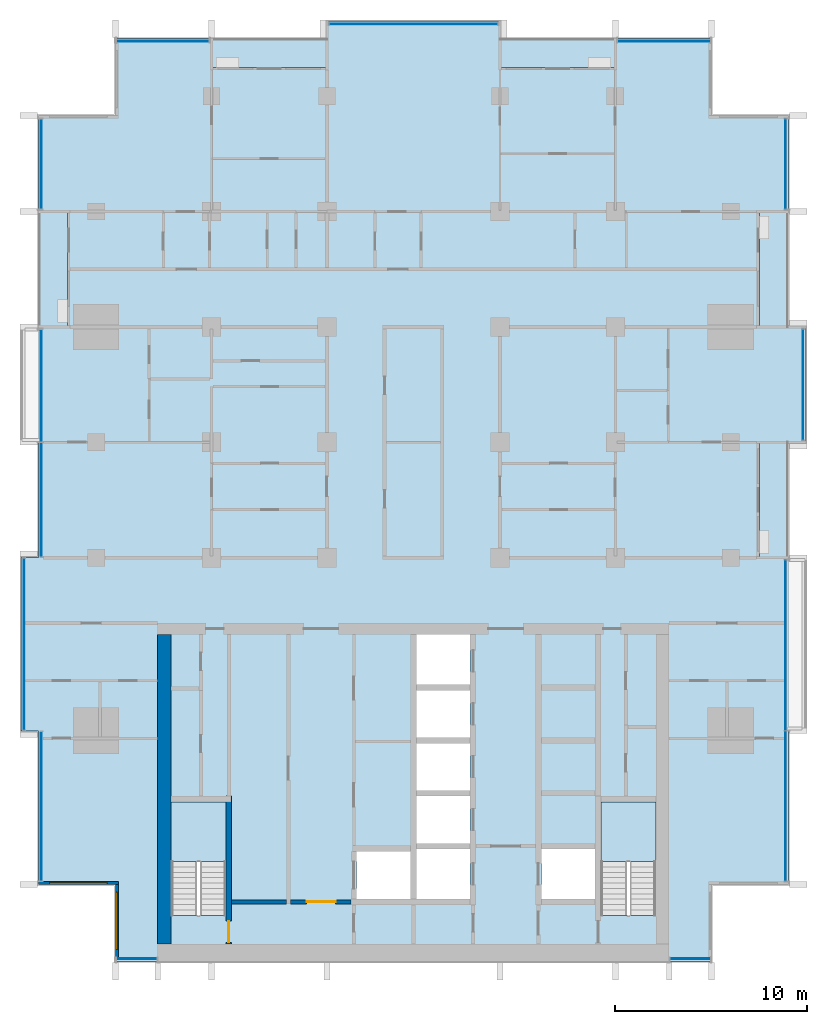
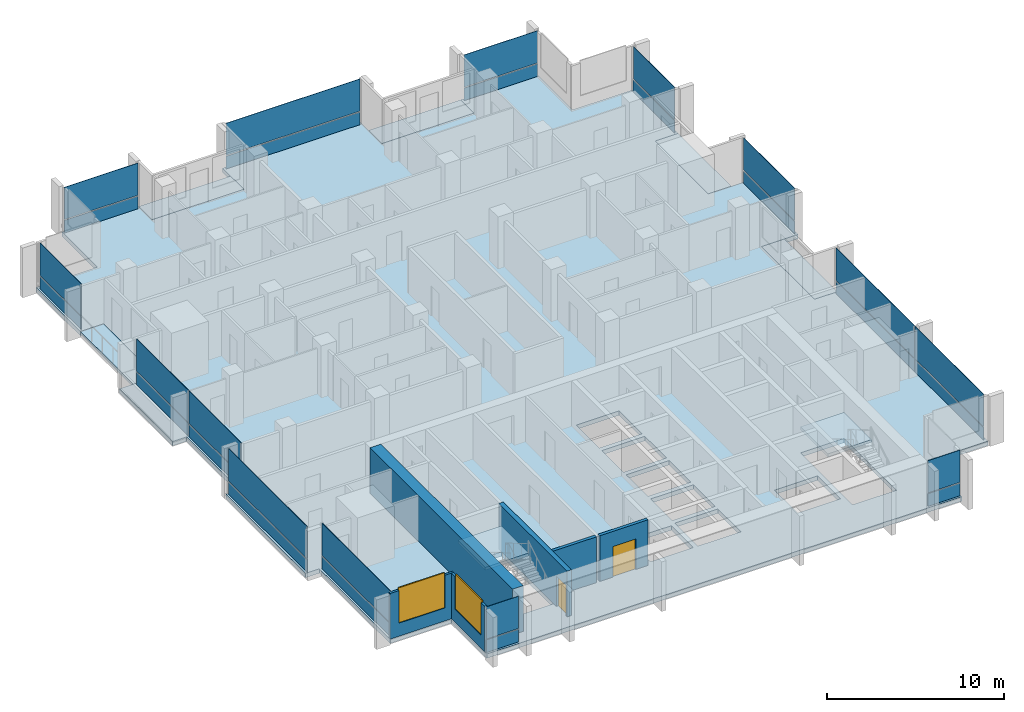
# One storey, part 6 of 17: 28 plates, 8 slabs, 6 walls, 2 doors, 2 windows, 4 openings, 14 elements without a shape of their own.
"""IFC4 building model written with IfcOpenShell, lengths in metres."""

from ifc_helpers import new_model, si_unit, direction, frame, frame_2d, origin, origin_2d, place, context, subcontext, project, spatial, polyline, rectangle, outline, extrude, material, layer, layer_set, type_object, element, fill, aggregate, save


model = new_model("IFC4")

# Units and contexts
model_context = context("Model", 3, precision=1e-05, world=origin(), true_north=direction((0.0, 1.0)))
body_context = subcontext(model_context, "Body", "Model", "MODEL_VIEW")
ifc_project = project(units=[si_unit("LENGTHUNIT", "METRE"), si_unit("AREAUNIT", "SQUARE_METRE"), si_unit("VOLUMEUNIT", "CUBIC_METRE"), si_unit("PLANEANGLEUNIT", "RADIAN"), si_unit("MASSUNIT", "GRAM", prefix="KILO")], contexts=[model_context])

# Site, building, storey
site_placement = place(None, origin())
site = spatial("IfcSite", under=ifc_project, at=site_placement, CompositionType="ELEMENT")
building_placement = place(site_placement, origin())
building = spatial("IfcBuilding", under=site, at=building_placement, Name="Finial Court Residences", CompositionType="ELEMENT")
storey_placement = place(building_placement, frame((0.0, 0.0, 196.10009765625)))
storey = spatial("IfcBuildingStorey", under=building, at=storey_placement, Name="L49", CompositionType="ELEMENT", Elevation=196.10009765625)

# Slabs
ifc_material_1 = material(Name="Concrete C35/45", Category="concrete")
ifc_layer_1 = layer(ifc_material_1, 0.199951171875)
ifc_layer_set_1 = layer_set([ifc_layer_1], Name="Balcony slab, Concrete C35/45 200")
slab_type_1 = type_object("IfcSlabType", Name="Balcony slab, Concrete C35/45 200", PredefinedType="FLOOR", material=ifc_layer_set_1)
slab_1_placement = place(storey_placement, frame((0.0, 0.0, -0.2001953125)))
element("IfcSlab", 1, at=slab_1_placement, inside=storey, type_object=slab_type_1, Name="Balcony L49-N2", PredefinedType="FLOOR", context=body_context, shape_type="SweptSolid", body=[
    extrude(outline(polyline([(-4.5, 21.0), (-4.5, 22.5), (-10.5, 22.5), (-10.5, 21.0), (-4.5, 21.0)])), origin(), (0.0, 0.0, 1.0), 0.2001953125),
])
slab_2_placement = place(storey_placement, frame((0.0, 0.0, -0.2001953125)))
element("IfcSlab", 2, at=slab_2_placement, inside=storey, type_object=slab_type_1, Name="Balcony L49-N4", PredefinedType="FLOOR", context=body_context, shape_type="SweptSolid", body=[
    extrude(outline(polyline([(10.5, 21.0), (10.5, 22.5), (4.5, 22.5), (4.5, 21.0), (10.5, 21.0)])), origin(), (0.0, 0.0, 1.0), 0.2001953125),
])
slab_3_placement = place(storey_placement, frame((0.0, 0.0, -0.2001953125)))
element("IfcSlab", 3, at=slab_3_placement, inside=storey, type_object=slab_type_1, Name="Balcony L49-E3", PredefinedType="FLOOR", context=body_context, shape_type="SweptSolid", body=[
    extrude(outline(polyline([(19.5, -4.5), (19.5, 1.5), (18.0, 1.5), (18.0, -4.5), (19.5, -4.5)])), origin(), (0.0, 0.0, 1.0), 0.2001953125),
])
slab_4_placement = place(storey_placement, frame((0.0, 0.0, -0.2001953125)))
element("IfcSlab", 4, at=slab_4_placement, inside=storey, type_object=slab_type_1, Name="Balcony L49-E5", PredefinedType="FLOOR", context=body_context, shape_type="SweptSolid", body=[
    extrude(outline(polyline([(19.5, 7.5), (19.5, 13.5), (18.0, 13.5), (18.0, 7.5), (19.5, 7.5)])), origin(), (0.0, 0.0, 1.0), 0.2001953125),
])
slab_5_placement = place(storey_placement, frame((0.0, 0.0, -0.2001953125)))
element("IfcSlab", 5, at=slab_5_placement, inside=storey, type_object=slab_type_1, Name="Balcony L49-W5", PredefinedType="FLOOR", context=body_context, shape_type="SweptSolid", body=[
    extrude(outline(polyline([(-18.0, 7.5), (-18.0, 13.5), (-19.5, 13.5), (-19.5, 7.5), (-18.0, 7.5)])), origin(), (0.0, 0.0, 1.0), 0.2001953125),
])

# Curtain wall, plate
ifc_material_2 = material(Name="Bronze anodised aluminium", Category="aluminium")
curtain_wall_type = type_object("IfcCurtainWallType", Name="Unitised curtain wall, upper zones", PredefinedType="NOTDEFINED", material=ifc_material_2)
curtain_wall_1_placement = place(storey_placement, origin())
curtain_wall_1 = element("IfcCurtainWall", 6, at=curtain_wall_1_placement, inside=storey, type_object=curtain_wall_type, Name="E-L49-CW-N1", PredefinedType="NOTDEFINED")
ifc_layer_2 = layer(ifc_material_2, 0.035888671875)
ifc_layer_set_2 = layer_set([ifc_layer_2], Name="CW2 spandrel panel 36")
plate_type_1 = type_object("IfcPlateType", Name="CW2 spandrel panel 36", PredefinedType="CURTAIN_PANEL", material=ifc_layer_set_2)
plate_1_placement = place(storey_placement, frame((-13.03759765625, 22.35009765625, -0.000244140625), z_axis=(0.0, 0.0, 1.0), x_axis=(1.0, 0.0, 0.0)))
plate_1 = element("IfcPlate", 7, at=plate_1_placement, type_object=plate_type_1, Name="CW2 spandrel 1.1", PredefinedType="CURTAIN_PANEL", context=body_context, shape_type="SweptSolid", body=[
    extrude(rectangle(XDim=4.804931640625, YDim=0.035888671875, at=origin_2d()), origin(), (0.0, 0.0, 1.0), 0.8701171875),
])

curtain_wall_2_placement = place(storey_placement, origin())
curtain_wall_2 = element("IfcCurtainWall", 8, at=curtain_wall_2_placement, inside=storey, type_object=curtain_wall_type, Name="E-L49-CW-N2", PredefinedType="NOTDEFINED")
plate_2_placement = place(storey_placement, frame((0.0, 23.25, -0.000244140625), z_axis=(0.0, 0.0, 1.0), x_axis=(1.0, 0.0, 0.0)))
plate_2 = element("IfcPlate", 9, at=plate_2_placement, type_object=plate_type_1, Name="CW2 spandrel 1.1", PredefinedType="CURTAIN_PANEL", context=body_context, shape_type="SweptSolid", body=[
    extrude(rectangle(XDim=8.72998046875, YDim=0.035888671875, at=origin_2d()), origin(), (0.0, 0.0, 1.0), 0.8701171875),
])

curtain_wall_3_placement = place(storey_placement, origin())
curtain_wall_3 = element("IfcCurtainWall", 10, at=curtain_wall_3_placement, inside=storey, type_object=curtain_wall_type, Name="E-L49-CW-N3", PredefinedType="NOTDEFINED")
plate_3_placement = place(storey_placement, frame((13.03759765625, 22.35009765625, -0.000244140625), z_axis=(0.0, 0.0, 1.0), x_axis=(1.0, 0.0, 0.0)))
plate_3 = element("IfcPlate", 11, at=plate_3_placement, type_object=plate_type_1, Name="CW2 spandrel 1.1", PredefinedType="CURTAIN_PANEL", context=body_context, shape_type="SweptSolid", body=[
    extrude(rectangle(XDim=4.804931640625, YDim=0.035888671875, at=origin_2d()), origin(), (0.0, 0.0, 1.0), 0.8701171875),
])

# Curtain wall, plates
curtain_wall_4_placement = place(storey_placement, origin())
curtain_wall_4 = element("IfcCurtainWall", 12, at=curtain_wall_4_placement, inside=storey, type_object=curtain_wall_type, Name="E-L49-CW-E4", PredefinedType="NOTDEFINED")
plate_4_placement = place(storey_placement, frame((19.35009765625, -17.409912109375, -0.000244140625), z_axis=(0.0, 0.0, 1.0), x_axis=(0.0, 1.0, 0.0)))
plate_4 = element("IfcPlate", 13, at=plate_4_placement, type_object=plate_type_1, Name="CW2 spandrel 1.1", PredefinedType="CURTAIN_PANEL", context=body_context, shape_type="SweptSolid", body=[
    extrude(rectangle(XDim=7.760009765625, YDim=0.035888671875, at=origin_2d()), origin(), (0.0, 0.0, 1.0), 0.8701171875),
])
plate_5_placement = place(storey_placement, frame((19.35009765625, -9.052490234375, -0.000244140625), z_axis=(0.0, 0.0, 1.0), x_axis=(0.0, 1.0, 0.0)))
plate_5 = element("IfcPlate", 14, at=plate_5_placement, type_object=plate_type_1, Name="CW2 spandrel 2.1", PredefinedType="CURTAIN_PANEL", context=body_context, shape_type="SweptSolid", body=[
    extrude(rectangle(XDim=8.8349609375, YDim=0.035888671875, at=origin_2d()), origin(), (0.0, 0.0, 1.0), 0.8701171875),
])

# Curtain wall, plate
curtain_wall_5_placement = place(storey_placement, origin())
curtain_wall_5 = element("IfcCurtainWall", 15, at=curtain_wall_5_placement, inside=storey, type_object=curtain_wall_type, Name="E-L49-CW-E5", PredefinedType="NOTDEFINED")
plate_6_placement = place(storey_placement, frame((20.25, 4.5, -0.000244140625), z_axis=(0.0, 0.0, 1.0), x_axis=(0.0, 1.0, 0.0)))
plate_6 = element("IfcPlate", 16, at=plate_6_placement, type_object=plate_type_1, Name="CW2 spandrel 1.1", PredefinedType="CURTAIN_PANEL", context=body_context, shape_type="SweptSolid", body=[
    extrude(rectangle(XDim=5.72998046875, YDim=0.035888671875, at=origin_2d()), origin(), (0.0, 0.0, 1.0), 0.8701171875),
])

curtain_wall_6_placement = place(storey_placement, origin())
curtain_wall_6 = element("IfcCurtainWall", 17, at=curtain_wall_6_placement, inside=storey, type_object=curtain_wall_type, Name="E-L49-CW-E6", PredefinedType="NOTDEFINED")
plate_7_placement = place(storey_placement, frame((19.35009765625, 15.96240234375, -0.000244140625), z_axis=(0.0, 0.0, 1.0), x_axis=(0.0, 1.0, 0.0)))
plate_7 = element("IfcPlate", 18, at=plate_7_placement, type_object=plate_type_1, Name="CW2 spandrel 1.1", PredefinedType="CURTAIN_PANEL", context=body_context, shape_type="SweptSolid", body=[
    extrude(rectangle(XDim=4.655029296875, YDim=0.035888671875, at=origin_2d()), origin(), (0.0, 0.0, 1.0), 0.8701171875),
])

curtain_wall_7_placement = place(storey_placement, origin())
curtain_wall_7 = element("IfcCurtainWall", 19, at=curtain_wall_7_placement, inside=storey, type_object=curtain_wall_type, Name="E-L49-CW-S7", PredefinedType="NOTDEFINED")
plate_8_placement = place(storey_placement, frame((-14.39990234375, -25.35009765625, -0.000244140625), z_axis=(0.0, 0.0, 1.0), x_axis=(1.0, 0.0, 0.0)))
plate_8 = element("IfcPlate", 20, at=plate_8_placement, type_object=plate_type_1, Name="CW2 spandrel 1.1", PredefinedType="CURTAIN_PANEL", context=body_context, shape_type="SweptSolid", body=[
    extrude(rectangle(XDim=2.080078125, YDim=0.035888671875, at=origin_2d()), origin(), (0.0, 0.0, 1.0), 0.8701171875),
])

curtain_wall_8_placement = place(storey_placement, origin())
curtain_wall_8 = element("IfcCurtainWall", 21, at=curtain_wall_8_placement, inside=storey, type_object=curtain_wall_type, Name="E-L49-CW-S8", PredefinedType="NOTDEFINED")
plate_9_placement = place(storey_placement, frame((14.39990234375, -25.35009765625, -0.000244140625), z_axis=(0.0, 0.0, 1.0), x_axis=(1.0, 0.0, 0.0)))
plate_9 = element("IfcPlate", 22, at=plate_9_placement, type_object=plate_type_1, Name="CW2 spandrel 1.1", PredefinedType="CURTAIN_PANEL", context=body_context, shape_type="SweptSolid", body=[
    extrude(rectangle(XDim=2.080078125, YDim=0.035888671875, at=origin_2d()), origin(), (0.0, 0.0, 1.0), 0.8701171875),
])

curtain_wall_9_placement = place(storey_placement, origin())
curtain_wall_9 = element("IfcCurtainWall", 23, at=curtain_wall_9_placement, inside=storey, type_object=curtain_wall_type, Name="E-L49-CW-W9", PredefinedType="NOTDEFINED")
plate_10_placement = place(storey_placement, frame((-19.35009765625, -17.425048828125, -0.000244140625), z_axis=(0.0, 0.0, 1.0), x_axis=(0.0, 1.0, 0.0)))
plate_10 = element("IfcPlate", 24, at=plate_10_placement, type_object=plate_type_1, Name="CW2 spandrel 1.1", PredefinedType="CURTAIN_PANEL", context=body_context, shape_type="SweptSolid", body=[
    extrude(rectangle(XDim=7.72998046875, YDim=0.035888671875, at=origin_2d()), origin(), (0.0, 0.0, 1.0), 0.8701171875),
])

curtain_wall_10_placement = place(storey_placement, origin())
curtain_wall_10 = element("IfcCurtainWall", 25, at=curtain_wall_10_placement, inside=storey, type_object=curtain_wall_type, Name="E-L49-CW-W10", PredefinedType="NOTDEFINED")
plate_11_placement = place(storey_placement, frame((-20.25, -9.0, -0.000244140625), z_axis=(0.0, 0.0, 1.0), x_axis=(0.0, 1.0, 0.0)))
plate_11 = element("IfcPlate", 26, at=plate_11_placement, type_object=plate_type_1, Name="CW2 spandrel 1.1", PredefinedType="CURTAIN_PANEL", context=body_context, shape_type="SweptSolid", body=[
    extrude(rectangle(XDim=8.8798828125, YDim=0.035888671875, at=origin_2d()), origin(), (0.0, 0.0, 1.0), 0.8701171875),
])

# Curtain wall, plates
curtain_wall_11_placement = place(storey_placement, origin())
curtain_wall_11 = element("IfcCurtainWall", 27, at=curtain_wall_11_placement, inside=storey, type_object=curtain_wall_type, Name="E-L49-CW-W11", PredefinedType="NOTDEFINED")
plate_12_placement = place(storey_placement, frame((-19.35009765625, -1.485107421875, -0.000244140625), z_axis=(0.0, 0.0, 1.0), x_axis=(0.0, 1.0, 0.0)))
plate_12 = element("IfcPlate", 28, at=plate_12_placement, type_object=plate_type_1, Name="CW2 spandrel 1.1", PredefinedType="CURTAIN_PANEL", context=body_context, shape_type="SweptSolid", body=[
    extrude(rectangle(XDim=5.909912109375, YDim=0.035888671875, at=origin_2d()), origin(), (0.0, 0.0, 1.0), 0.8701171875),
])
plate_13_placement = place(storey_placement, frame((-19.35009765625, 4.447509765625, -0.000244140625), z_axis=(0.0, 0.0, 1.0), x_axis=(0.0, 1.0, 0.0)))
plate_13 = element("IfcPlate", 29, at=plate_13_placement, type_object=plate_type_1, Name="CW2 spandrel 2.1", PredefinedType="CURTAIN_PANEL", context=body_context, shape_type="SweptSolid", body=[
    extrude(rectangle(XDim=5.8349609375, YDim=0.035888671875, at=origin_2d()), origin(), (0.0, 0.0, 1.0), 0.8701171875),
])

# Curtain wall, plate
curtain_wall_12_placement = place(storey_placement, origin())
curtain_wall_12 = element("IfcCurtainWall", 30, at=curtain_wall_12_placement, inside=storey, type_object=curtain_wall_type, Name="E-L49-CW-W12", PredefinedType="NOTDEFINED")
plate_14_placement = place(storey_placement, frame((-19.35009765625, 15.96240234375, -0.000244140625), z_axis=(0.0, 0.0, 1.0), x_axis=(0.0, 1.0, 0.0)))
plate_14 = element("IfcPlate", 31, at=plate_14_placement, type_object=plate_type_1, Name="CW2 spandrel 1.1", PredefinedType="CURTAIN_PANEL", context=body_context, shape_type="SweptSolid", body=[
    extrude(rectangle(XDim=4.655029296875, YDim=0.035888671875, at=origin_2d()), origin(), (0.0, 0.0, 1.0), 0.8701171875),
])

# Plate
ifc_material_3 = material(Name="Clear low-e glass", Category="glass")
ifc_layer_3 = layer(ifc_material_3, 0.030029296875)
ifc_layer_set_3 = layer_set([ifc_layer_3], Name="CW2 vision glass 30")
plate_type_2 = type_object("IfcPlateType", Name="CW2 vision glass 30", PredefinedType="CURTAIN_PANEL", material=ifc_layer_set_3)
plate_15_placement = place(storey_placement, frame((-13.03759765625, 22.35009765625, 0.9296875), z_axis=(0.0, 0.0, 1.0), x_axis=(1.0, 0.0, 0.0)))
plate_15 = element("IfcPlate", 32, at=plate_15_placement, type_object=plate_type_2, Name="CW2 glass 1.2", PredefinedType="CURTAIN_PANEL", context=body_context, shape_type="SweptSolid", body=[
    extrude(rectangle(XDim=4.804931640625, YDim=0.030029296875, at=origin_2d()), origin(), (0.0, 0.0, 1.0), 2.219970703125),
])

aggregate(curtain_wall_1, [plate_1, plate_15])

plate_16_placement = place(storey_placement, frame((0.0, 23.25, 0.9296875), z_axis=(0.0, 0.0, 1.0), x_axis=(1.0, 0.0, 0.0)))
plate_16 = element("IfcPlate", 33, at=plate_16_placement, type_object=plate_type_2, Name="CW2 glass 1.2", PredefinedType="CURTAIN_PANEL", context=body_context, shape_type="SweptSolid", body=[
    extrude(rectangle(XDim=8.72998046875, YDim=0.030029296875, at=origin_2d()), origin(), (0.0, 0.0, 1.0), 2.219970703125),
])

aggregate(curtain_wall_2, [plate_2, plate_16])

plate_17_placement = place(storey_placement, frame((13.03759765625, 22.35009765625, 0.9296875), z_axis=(0.0, 0.0, 1.0), x_axis=(1.0, 0.0, 0.0)))
plate_17 = element("IfcPlate", 34, at=plate_17_placement, type_object=plate_type_2, Name="CW2 glass 1.2", PredefinedType="CURTAIN_PANEL", context=body_context, shape_type="SweptSolid", body=[
    extrude(rectangle(XDim=4.804931640625, YDim=0.030029296875, at=origin_2d()), origin(), (0.0, 0.0, 1.0), 2.219970703125),
])

aggregate(curtain_wall_3, [plate_3, plate_17])

plate_18_placement = place(storey_placement, frame((19.35009765625, -17.409912109375, 0.9296875), z_axis=(0.0, 0.0, 1.0), x_axis=(0.0, 1.0, 0.0)))
plate_18 = element("IfcPlate", 35, at=plate_18_placement, type_object=plate_type_2, Name="CW2 glass 1.2", PredefinedType="CURTAIN_PANEL", context=body_context, shape_type="SweptSolid", body=[
    extrude(rectangle(XDim=7.760009765625, YDim=0.030029296875, at=origin_2d()), origin(), (0.0, 0.0, 1.0), 2.219970703125),
])

plate_19_placement = place(storey_placement, frame((19.35009765625, -9.052490234375, 0.9296875), z_axis=(0.0, 0.0, 1.0), x_axis=(0.0, 1.0, 0.0)))
plate_19 = element("IfcPlate", 36, at=plate_19_placement, type_object=plate_type_2, Name="CW2 glass 2.2", PredefinedType="CURTAIN_PANEL", context=body_context, shape_type="SweptSolid", body=[
    extrude(rectangle(XDim=8.8349609375, YDim=0.030029296875, at=origin_2d()), origin(), (0.0, 0.0, 1.0), 2.219970703125),
])

aggregate(curtain_wall_4, [plate_4, plate_18, plate_5, plate_19])

plate_20_placement = place(storey_placement, frame((20.25, 4.5, 0.9296875), z_axis=(0.0, 0.0, 1.0), x_axis=(0.0, 1.0, 0.0)))
plate_20 = element("IfcPlate", 37, at=plate_20_placement, type_object=plate_type_2, Name="CW2 glass 1.2", PredefinedType="CURTAIN_PANEL", context=body_context, shape_type="SweptSolid", body=[
    extrude(rectangle(XDim=5.72998046875, YDim=0.030029296875, at=origin_2d()), origin(), (0.0, 0.0, 1.0), 2.219970703125),
])

aggregate(curtain_wall_5, [plate_6, plate_20])

plate_21_placement = place(storey_placement, frame((19.35009765625, 15.96240234375, 0.9296875), z_axis=(0.0, 0.0, 1.0), x_axis=(0.0, 1.0, 0.0)))
plate_21 = element("IfcPlate", 38, at=plate_21_placement, type_object=plate_type_2, Name="CW2 glass 1.2", PredefinedType="CURTAIN_PANEL", context=body_context, shape_type="SweptSolid", body=[
    extrude(rectangle(XDim=4.655029296875, YDim=0.030029296875, at=origin_2d()), origin(), (0.0, 0.0, 1.0), 2.219970703125),
])

aggregate(curtain_wall_6, [plate_7, plate_21])

plate_22_placement = place(storey_placement, frame((-14.39990234375, -25.35009765625, 0.9296875), z_axis=(0.0, 0.0, 1.0), x_axis=(1.0, 0.0, 0.0)))
plate_22 = element("IfcPlate", 39, at=plate_22_placement, type_object=plate_type_2, Name="CW2 glass 1.2", PredefinedType="CURTAIN_PANEL", context=body_context, shape_type="SweptSolid", body=[
    extrude(rectangle(XDim=2.080078125, YDim=0.030029296875, at=origin_2d()), origin(), (0.0, 0.0, 1.0), 2.219970703125),
])

aggregate(curtain_wall_7, [plate_8, plate_22])

plate_23_placement = place(storey_placement, frame((14.39990234375, -25.35009765625, 0.9296875), z_axis=(0.0, 0.0, 1.0), x_axis=(1.0, 0.0, 0.0)))
plate_23 = element("IfcPlate", 40, at=plate_23_placement, type_object=plate_type_2, Name="CW2 glass 1.2", PredefinedType="CURTAIN_PANEL", context=body_context, shape_type="SweptSolid", body=[
    extrude(rectangle(XDim=2.080078125, YDim=0.030029296875, at=origin_2d()), origin(), (0.0, 0.0, 1.0), 2.219970703125),
])

aggregate(curtain_wall_8, [plate_9, plate_23])

plate_24_placement = place(storey_placement, frame((-19.35009765625, -17.425048828125, 0.9296875), z_axis=(0.0, 0.0, 1.0), x_axis=(0.0, 1.0, 0.0)))
plate_24 = element("IfcPlate", 41, at=plate_24_placement, type_object=plate_type_2, Name="CW2 glass 1.2", PredefinedType="CURTAIN_PANEL", context=body_context, shape_type="SweptSolid", body=[
    extrude(rectangle(XDim=7.72998046875, YDim=0.030029296875, at=origin_2d()), origin(), (0.0, 0.0, 1.0), 2.219970703125),
])

aggregate(curtain_wall_9, [plate_10, plate_24])

plate_25_placement = place(storey_placement, frame((-20.25, -9.0, 0.9296875), z_axis=(0.0, 0.0, 1.0), x_axis=(0.0, 1.0, 0.0)))
plate_25 = element("IfcPlate", 42, at=plate_25_placement, type_object=plate_type_2, Name="CW2 glass 1.2", PredefinedType="CURTAIN_PANEL", context=body_context, shape_type="SweptSolid", body=[
    extrude(rectangle(XDim=8.8798828125, YDim=0.030029296875, at=origin_2d()), origin(), (0.0, 0.0, 1.0), 2.219970703125),
])

aggregate(curtain_wall_10, [plate_11, plate_25])

plate_26_placement = place(storey_placement, frame((-19.35009765625, -1.485107421875, 0.9296875), z_axis=(0.0, 0.0, 1.0), x_axis=(0.0, 1.0, 0.0)))
plate_26 = element("IfcPlate", 43, at=plate_26_placement, type_object=plate_type_2, Name="CW2 glass 1.2", PredefinedType="CURTAIN_PANEL", context=body_context, shape_type="SweptSolid", body=[
    extrude(rectangle(XDim=5.909912109375, YDim=0.030029296875, at=origin_2d()), origin(), (0.0, 0.0, 1.0), 2.219970703125),
])

plate_27_placement = place(storey_placement, frame((-19.35009765625, 4.447509765625, 0.9296875), z_axis=(0.0, 0.0, 1.0), x_axis=(0.0, 1.0, 0.0)))
plate_27 = element("IfcPlate", 44, at=plate_27_placement, type_object=plate_type_2, Name="CW2 glass 2.2", PredefinedType="CURTAIN_PANEL", context=body_context, shape_type="SweptSolid", body=[
    extrude(rectangle(XDim=5.8349609375, YDim=0.030029296875, at=origin_2d()), origin(), (0.0, 0.0, 1.0), 2.219970703125),
])

aggregate(curtain_wall_11, [plate_12, plate_26, plate_13, plate_27])

plate_28_placement = place(storey_placement, frame((-19.35009765625, 15.96240234375, 0.9296875), z_axis=(0.0, 0.0, 1.0), x_axis=(0.0, 1.0, 0.0)))
plate_28 = element("IfcPlate", 45, at=plate_28_placement, type_object=plate_type_2, Name="CW2 glass 1.2", PredefinedType="CURTAIN_PANEL", context=body_context, shape_type="SweptSolid", body=[
    extrude(rectangle(XDim=4.655029296875, YDim=0.030029296875, at=origin_2d()), origin(), (0.0, 0.0, 1.0), 2.219970703125),
])

aggregate(curtain_wall_12, [plate_14, plate_28])

# Stair, slab
ifc_material_4 = material(Name="Concrete C50/60", Category="concrete")
stair_type = type_object("IfcStairType", Name="Exit stair 22 risers of 163.6 mm", PredefinedType="HALF_TURN_STAIR", material=ifc_material_4)
stair_1_placement = place(storey_placement, origin())
stair_1 = element("IfcStair", 46, at=stair_1_placement, inside=storey, type_object=stair_type, Name="L49 Exit stair ST-1", PredefinedType="HALF_TURN_STAIR")
ifc_layer_4 = layer(ifc_material_4, 0.199951171875)
ifc_layer_set_4 = layer_set([ifc_layer_4], Name="Exit stair landing")
slab_type_2 = type_object("IfcSlabType", Name="Exit stair landing", PredefinedType="LANDING", material=ifc_layer_set_4)
slab_6_placement = place(storey_placement, frame((0.0, 0.0, 1.599853515625)))
slab_6 = element("IfcSlab", 47, at=slab_6_placement, type_object=slab_type_2, Name="ST-1 landing 1", PredefinedType="LANDING", context=body_context, shape_type="SweptSolid", body=[
    extrude(outline(polyline([(-9.75, -20.300048828125), (-9.75, -17.199951171875), (-12.60009765625, -17.199951171875), (-12.60009765625, -20.300048828125), (-9.75, -20.300048828125)])), origin(), (0.0, 0.0, 1.0), 0.199951171875),
])
aggregate(stair_1, [slab_6])

stair_2_placement = place(storey_placement, origin())
stair_2 = element("IfcStair", 48, at=stair_2_placement, inside=storey, type_object=stair_type, Name="L49 Exit stair ST-2", PredefinedType="HALF_TURN_STAIR")
slab_7_placement = place(storey_placement, frame((0.0, 0.0, 1.599853515625)))
slab_7 = element("IfcSlab", 49, at=slab_7_placement, type_object=slab_type_2, Name="ST-2 landing 1", PredefinedType="LANDING", context=body_context, shape_type="SweptSolid", body=[
    extrude(outline(polyline([(12.60009765625, -20.300048828125), (12.60009765625, -17.199951171875), (9.75, -17.199951171875), (9.75, -20.300048828125), (12.60009765625, -20.300048828125)])), origin(), (0.0, 0.0, 1.0), 0.199951171875),
])
aggregate(stair_2, [slab_7])

# Slab
ifc_material_5 = material(Name="Concrete C40/50", Category="concrete")
ifc_layer_5 = layer(ifc_material_5, 0.300048828125)
ifc_layer_set_5 = layer_set([ifc_layer_5], Name="Flat plate slab 300 Concrete C40/50")
slab_type_3 = type_object("IfcSlabType", Name="Flat plate slab 300 Concrete C40/50", PredefinedType="FLOOR", material=ifc_layer_set_5)
slab_8_placement = place(storey_placement, frame((0.0, 0.0, -0.300048828125)))
element("IfcSlab", 50, at=slab_8_placement, inside=storey, type_object=slab_type_3, Name="S:SLAB:L49", PredefinedType="FLOOR", context=body_context, shape_type="SweptSolid", body=[
    extrude(outline(polyline([(20.39990234375, -4.5), (20.39990234375, -13.5), (19.5, -13.5), (19.5, -21.5), (15.5, -21.5), (15.5, -25.5), (-15.5, -25.5), (-15.5, -21.5), (-19.5, -21.5), (-19.5, -13.5), (-20.39990234375, -13.5), (-20.39990234375, -4.5), (-19.5, -4.5), (-19.5, 1.5), (-20.39990234375, 1.5), (-20.39990234375, 7.5), (-19.5, 7.5), (-18.0, 7.5), (-18.0, 13.5), (-19.5, 13.5), (-19.5, 18.5), (-15.5, 18.5), (-15.5, 22.5), (-10.5, 22.5), (-10.5, 21.0), (-4.5, 21.0), (-4.5, 22.5), (-4.5, 23.39990234375), (4.5, 23.39990234375), (4.5, 22.5), (4.5, 21.0), (10.5, 21.0), (10.5, 22.5), (15.5, 22.5), (15.5, 18.5), (19.5, 18.5), (19.5, 13.5), (18.0, 13.5), (18.0, 7.5), (19.5, 7.5), (20.39990234375, 7.5), (20.39990234375, 1.5), (19.5, 1.5), (18.0, 1.5), (18.0, -4.5), (19.5, -4.5), (20.39990234375, -4.5)]), holes=[polyline([(-0.14990234375, -19.77001953125), (-2.949951171875, -19.77001953125), (-2.949951171875, -22.25), (-0.14990234375, -22.25), (-0.14990234375, -19.77001953125)]), polyline([(2.949951171875, -19.64990234375), (0.14990234375, -19.64990234375), (0.14990234375, -22.25), (2.949951171875, -22.25), (2.949951171875, -19.64990234375)]), polyline([(9.449951171875, -19.64990234375), (6.64990234375, -19.64990234375), (6.64990234375, -22.25), (9.449951171875, -22.25), (9.449951171875, -19.64990234375)]), polyline([(-12.60009765625, -17.199951171875), (-12.60009765625, -23.09912109375), (-9.75, -23.09912109375), (-9.75, -17.199951171875), (-12.60009765625, -17.199951171875)]), polyline([(9.75, -17.199951171875), (9.75, -23.09912109375), (12.60009765625, -23.09912109375), (12.60009765625, -17.199951171875), (9.75, -17.199951171875)]), polyline([(2.949951171875, -16.89990234375), (0.14990234375, -16.89990234375), (0.14990234375, -19.35009765625), (2.949951171875, -19.35009765625), (2.949951171875, -16.89990234375)]), polyline([(2.949951171875, -14.14990234375), (0.14990234375, -14.14990234375), (0.14990234375, -16.60009765625), (2.949951171875, -16.60009765625), (2.949951171875, -14.14990234375)]), polyline([(2.949951171875, -13.85009765625), (2.949951171875, -11.39990234375), (0.14990234375, -11.39990234375), (0.14990234375, -13.85009765625), (2.949951171875, -13.85009765625)]), polyline([(2.949951171875, -11.10009765625), (2.949951171875, -8.5), (0.14990234375, -8.5), (0.14990234375, -11.10009765625), (2.949951171875, -11.10009765625)])]), origin(), (0.0, 0.0, 1.0), 0.300048828125),
])

# Wall
ifc_material_6 = material(Name="Concrete C70/85", Category="concrete")
ifc_layer_6 = layer(ifc_material_6, 0.699951171875)
ifc_layer_set_6 = layer_set([ifc_layer_6], Name="Core outer wall 700 Concrete C70/85")
wall_type_1 = type_object("IfcWallType", Name="Core outer wall 700 Concrete C70/85", PredefinedType="SHEAR", material=ifc_layer_set_6)
wall_1_placement = place(storey_placement, frame((-12.949951171875, -24.60009765625, 0.0), z_axis=(0.0, 0.0, 1.0), x_axis=(0.0, 1.0, 0.0)))
element("IfcWall", 51, at=wall_1_placement, inside=storey, type_object=wall_type_1, Name="Core outer wall L49-03", PredefinedType="SHEAR", context=body_context, shape_type="SweptSolid", body=[
    extrude(rectangle(XDim=16.10009765625, YDim=0.699951171875, at=frame_2d((8.050048828125, 0.0))), origin(), (0.0, 0.0, 1.0), 3.14990234375),
])

# Wall, opening, door
ifc_layer_7 = layer(ifc_material_6, 0.300048828125)
ifc_layer_set_7 = layer_set([ifc_layer_7], Name="Lift shaft and stair wall 300 Concrete C70/85")
wall_type_2 = type_object("IfcWallType", Name="Lift shaft and stair wall 300 Concrete C70/85", PredefinedType="SHEAR", material=ifc_layer_set_7)
wall_2_placement = place(storey_placement, frame((-9.60009765625, -24.60009765625, 0.0), z_axis=(0.0, 0.0, 1.0), x_axis=(0.0, 1.0, 0.0)))
wall_2 = element("IfcWall", 52, at=wall_2_placement, inside=storey, type_object=wall_type_2, Name="Core wall L49-22", PredefinedType="SHEAR", context=body_context, shape_type="SweptSolid", body=[
    extrude(rectangle(XDim=7.7001953125, YDim=0.300048828125, at=frame_2d((3.85009765625, 0.0))), origin(), (0.0, 0.0, 1.0), 3.14990234375),
])
opening_1_placement = place(wall_2_placement, frame((0.10009765625, 0.0, 0.0)))
opening_1 = element("IfcOpeningElement", 53, at=opening_1_placement, cuts=wall_2, Name="Opening L49-C17", PredefinedType="OPENING", context=body_context, shape_type="SweptSolid", body=[
    extrude(rectangle(XDim=1.10009765625, YDim=2.10009765625, at=frame_2d((0.550048828125, 1.050048828125))), frame((0.0, 0.159912109375, 0.0), z_axis=(0.0, -1.0, 0.0), x_axis=(1.0, 0.0, 0.0)), (0.0, 0.0, 1.0), 0.320068359375),
])
ifc_material_7 = material(Name="Steel fire door", Category="steel")
door_type_1 = type_object("IfcDoorType", Name="Stair door 1100 x 2100 EI 90", OperationType="NOTDEFINED", PredefinedType="DOOR", material=ifc_material_7)
door_1_placement = place(opening_1_placement, origin())
door_1 = element("IfcDoor", 54, at=door_1_placement, inside=storey, type_object=door_type_1, Name="Stair door L49-C17", OperationType="SINGLE_SWING_LEFT", OverallHeight=2.10009765625, OverallWidth=1.10009765625, PredefinedType="DOOR", context=body_context, shape_type="SweptSolid", body=[
    extrude(rectangle(XDim=1.10009765625, YDim=2.10009765625, at=frame_2d((0.550048828125, 1.050048828125))), frame((0.0, 0.02490234375, 0.0), z_axis=(0.0, -1.0, 0.0), x_axis=(1.0, 0.0, 0.0)), (0.0, 0.0, 1.0), 0.050048828125),
])
fill(opening_1, door_1)

# Wall, opening, window
ifc_material_8 = material(Name="Natural limestone", Category="masonry")
ifc_layer_8 = layer(ifc_material_8, 0.14990234375)
ifc_layer_set_8 = layer_set([ifc_layer_8], Name="Limestone clad wall 150")
wall_type_3 = type_object("IfcWallType", Name="Limestone clad wall 150", PredefinedType="SOLIDWALL", material=ifc_layer_set_8)
wall_3_placement = place(storey_placement, frame((-15.425048828125, -25.262451171875, 0.0), z_axis=(0.0, 0.0, 1.0), x_axis=(0.0, 1.0, 0.0)))
wall_3 = element("IfcWall", 55, at=wall_3_placement, inside=storey, type_object=wall_type_3, Name="E-L49-NWW13", PredefinedType="SOLIDWALL", context=body_context, shape_type="SweptSolid", body=[
    extrude(rectangle(XDim=3.762451171875, YDim=0.14990234375, at=frame_2d((1.88134765625, 0.0))), origin(), (0.0, 0.0, 1.0), 3.14990234375),
])
opening_2_placement = place(wall_3_placement, frame((0.401123046875, 0.0, 0.89990234375)))
opening_2 = element("IfcOpeningElement", 56, at=opening_2_placement, cuts=wall_3, Name="Opening WE49-01", PredefinedType="OPENING", context=body_context, shape_type="SweptSolid", body=[
    extrude(rectangle(XDim=2.9599609375, YDim=2.39990234375, at=frame_2d((1.47998046875, 1.199951171875))), frame((0.0, 0.0849609375, 0.0), z_axis=(0.0, -1.0, 0.0), x_axis=(1.0, 0.0, 0.0)), (0.0, 0.0, 1.0), 0.169921875),
])
window_type_1 = type_object("IfcWindowType", Name="Corner window 2960 x 2400", PartitioningType="SINGLE_PANEL", PredefinedType="WINDOW", material=ifc_material_3)
window_1_placement = place(opening_2_placement, origin())
window_1 = element("IfcWindow", 57, at=window_1_placement, inside=storey, type_object=window_type_1, Name="E-L49-NWW13-W1", OverallHeight=2.39990234375, OverallWidth=2.9599609375, PartitioningType="SINGLE_PANEL", PredefinedType="WINDOW", context=body_context, shape_type="SweptSolid", body=[
    extrude(rectangle(XDim=2.9599609375, YDim=2.39990234375, at=frame_2d((1.47998046875, 1.199951171875))), frame((0.0, 0.030029296875, 0.0), z_axis=(0.0, -1.0, 0.0), x_axis=(1.0, 0.0, 0.0)), (0.0, 0.0, 1.0), 0.06005859375),
])
fill(opening_2, window_1)

wall_4_placement = place(storey_placement, frame((-15.35009765625, -21.425048828125, 0.0), z_axis=(0.0, 0.0, 1.0), x_axis=(-1.0, 0.0, 0.0)))
wall_4 = element("IfcWall", 58, at=wall_4_placement, inside=storey, type_object=wall_type_3, Name="E-L49-NWS14", PredefinedType="SOLIDWALL", context=body_context, shape_type="SweptSolid", body=[
    extrude(rectangle(XDim=4.14990234375, YDim=0.14990234375, at=frame_2d((2.074951171875, 0.0))), origin(), (0.0, 0.0, 1.0), 3.14990234375),
])
opening_3_placement = place(wall_4_placement, frame((0.574951171875, 0.0, 0.89990234375)))
opening_3 = element("IfcOpeningElement", 59, at=opening_3_placement, cuts=wall_4, Name="Opening WE49-02", PredefinedType="OPENING", context=body_context, shape_type="SweptSolid", body=[
    extrude(rectangle(XDim=3.0, YDim=2.39990234375, at=frame_2d((1.5, 1.199951171875))), frame((0.0, 0.0849609375, 0.0), z_axis=(0.0, -1.0, 0.0), x_axis=(1.0, 0.0, 0.0)), (0.0, 0.0, 1.0), 0.169921875),
])
window_type_2 = type_object("IfcWindowType", Name="Corner window 3000 x 2400", PartitioningType="SINGLE_PANEL", PredefinedType="WINDOW", material=ifc_material_3)
window_2_placement = place(opening_3_placement, origin())
window_2 = element("IfcWindow", 60, at=window_2_placement, inside=storey, type_object=window_type_2, Name="E-L49-NWS14-W1", OverallHeight=2.39990234375, OverallWidth=3.0, PartitioningType="SINGLE_PANEL", PredefinedType="WINDOW", context=body_context, shape_type="SweptSolid", body=[
    extrude(rectangle(XDim=3.0, YDim=2.39990234375, at=frame_2d((1.5, 1.199951171875))), frame((0.0, 0.030029296875, 0.0), z_axis=(0.0, -1.0, 0.0), x_axis=(1.0, 0.0, 0.0)), (0.0, 0.0, 1.0), 0.06005859375),
])
fill(opening_3, window_2)

# Wall
ifc_material_9 = material(Name="Fire-rated gypsum board partition")
ifc_layer_9 = layer(ifc_material_9, 0.199951171875)
ifc_layer_set_9 = layer_set([ifc_layer_9], Name="Riser room wall 200 EI 120")
wall_type_4 = type_object("IfcWallType", Name="Riser room wall 200 EI 120", PredefinedType="PARTITIONING", material=ifc_layer_set_9)
wall_5_placement = place(storey_placement, frame((-9.449951171875, -22.39990234375, 0.0), z_axis=(0.0, 0.0, 1.0), x_axis=(1.0, 0.0, 0.0)))
element("IfcWall", 61, at=wall_5_placement, inside=storey, type_object=wall_type_4, Name="Core partition L49-01", PredefinedType="PARTITIONING", context=body_context, shape_type="SweptSolid", body=[
    extrude(rectangle(XDim=2.849853515625, YDim=0.199951171875, at=frame_2d((1.4248046875, 0.0))), origin(), (0.0, 0.0, 1.0), 3.14990234375),
])

# Wall, opening, door
ifc_layer_10 = layer(ifc_material_9, 0.199951171875)
ifc_layer_set_10 = layer_set([ifc_layer_10], Name="Stair passage wall 200 EI 180")
wall_type_5 = type_object("IfcWallType", Name="Stair passage wall 200 EI 180", PredefinedType="PARTITIONING", material=ifc_layer_set_10)
wall_6_placement = place(storey_placement, frame((-3.25, -22.39990234375, 0.0), z_axis=(0.0, 0.0, 1.0), x_axis=(-1.0, 0.0, 0.0)))
wall_6 = element("IfcWall", 62, at=wall_6_placement, inside=storey, type_object=wall_type_5, Name="Core partition L49-02", PredefinedType="PARTITIONING", context=body_context, shape_type="SweptSolid", body=[
    extrude(rectangle(XDim=3.14990234375, YDim=0.199951171875, at=frame_2d((1.574951171875, 0.0))), origin(), (0.0, 0.0, 1.0), 3.14990234375),
])
opening_4_placement = place(wall_6_placement, frame((0.800048828125, 0.0, 0.0)))
opening_4 = element("IfcOpeningElement", 63, at=opening_4_placement, cuts=wall_6, Name="Opening L49-C03", PredefinedType="OPENING", context=body_context, shape_type="SweptSolid", body=[
    extrude(rectangle(XDim=1.5, YDim=2.10009765625, at=frame_2d((0.75, 1.050048828125))), frame((0.0, 0.10986328125, 0.0), z_axis=(0.0, -1.0, 0.0), x_axis=(1.0, 0.0, 0.0)), (0.0, 0.0, 1.0), 0.219970703125),
])
door_type_2 = type_object("IfcDoorType", Name="Lift lobby door 1500 x 2100 EI 60", OperationType="DOUBLE_DOOR_SINGLE_SWING", PredefinedType="DOOR", material=ifc_material_7)
door_2_placement = place(opening_4_placement, origin())
door_2 = element("IfcDoor", 64, at=door_2_placement, inside=storey, type_object=door_type_2, Name="Lift lobby door L49-C03", OperationType="DOUBLE_DOOR_SINGLE_SWING", OverallHeight=2.10009765625, OverallWidth=1.5, PredefinedType="DOOR", context=body_context, shape_type="SweptSolid", body=[
    extrude(rectangle(XDim=1.5, YDim=2.10009765625, at=frame_2d((0.75, 1.050048828125))), frame((0.0, 0.02490234375, 0.0), z_axis=(0.0, -1.0, 0.0), x_axis=(1.0, 0.0, 0.0)), (0.0, 0.0, 1.0), 0.050048828125),
])
fill(opening_4, door_2)

save(model, "model.ifc")
